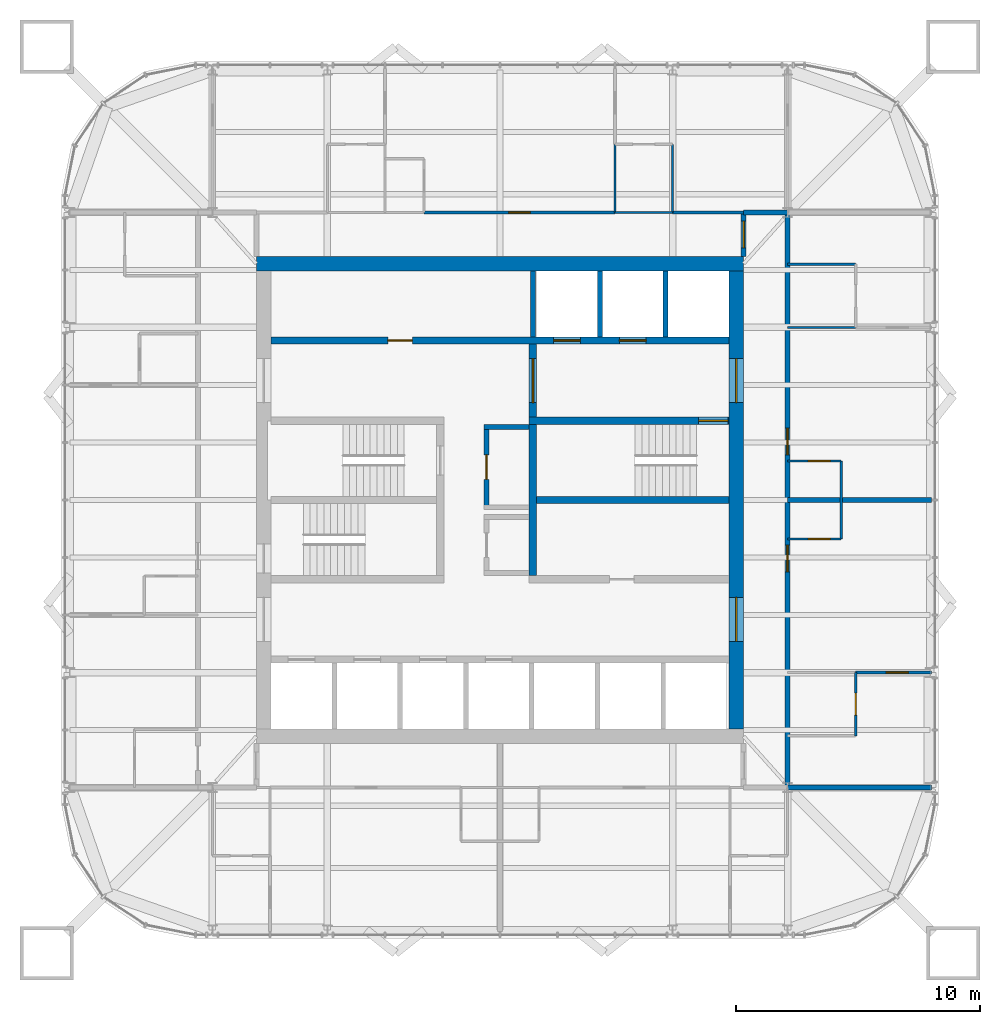
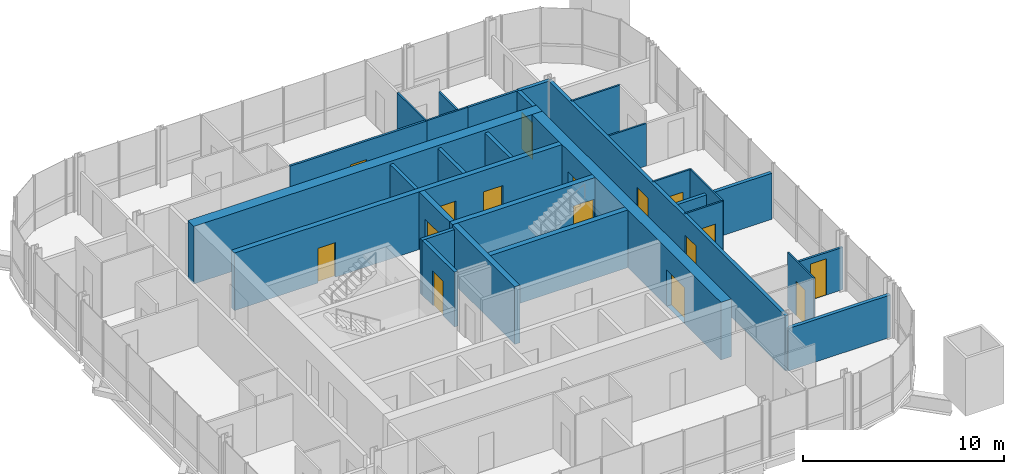
# One storey, part 15 of 17: 28 walls, 16 doors, 16 openings.
"""IFC4 building model written with IfcOpenShell, lengths in metres."""

from ifc_helpers import new_model, si_unit, direction, frame, frame_2d, origin, place, context, subcontext, project, spatial, rectangle, extrude, material, layer, layer_set, type_object, element, fill, save


model = new_model("IFC4")

# Units and contexts
model_context = context("Model", 3, precision=1e-05, world=origin(), true_north=direction((0.0, 1.0)))
body_context = subcontext(model_context, "Body", "Model", "MODEL_VIEW")
ifc_project = project(units=[si_unit("LENGTHUNIT", "METRE"), si_unit("AREAUNIT", "SQUARE_METRE"), si_unit("VOLUMEUNIT", "CUBIC_METRE"), si_unit("PLANEANGLEUNIT", "RADIAN"), si_unit("MASSUNIT", "GRAM", prefix="KILO")], contexts=[model_context])

# Site, building, storey
site_placement = place(None, origin())
site = spatial("IfcSite", under=ifc_project, at=site_placement, CompositionType="ELEMENT")
building_placement = place(site_placement, origin())
building = spatial("IfcBuilding", under=site, at=building_placement, Name="Turquesa Mirador Hotel Tower", CompositionType="ELEMENT")
storey_placement = place(building_placement, frame((0.0, 0.0, 244.199951171875)))
storey = spatial("IfcBuildingStorey", under=building, at=storey_placement, Name="L66", CompositionType="ELEMENT", Elevation=244.199951171875)

# Wall, opening, door
ifc_material_1 = material(Name="Gypsum board on steel studs", Category="steel")
ifc_layer_1 = layer(ifc_material_1, 0.10009765625)
ifc_layer_set_1 = layer_set([ifc_layer_1], Name="BATHROOM WALL 100")
wall_type_1 = type_object("IfcWallType", Name="BATHROOM WALL 100", PredefinedType="PARTITIONING", material=ifc_layer_set_1)
wall_1_placement = place(storey_placement, frame((66.800048828125, 43.39990234375, 0.0), z_axis=(0.0, 0.0, 1.0), x_axis=(1.0, 0.0, 0.0)))
wall_1 = element("IfcWall", 1, at=wall_1_placement, inside=storey, type_object=wall_type_1, Name="Partition L66 001", PredefinedType="PARTITIONING", context=body_context, shape_type="SweptSolid", body=[
    extrude(rectangle(XDim=2.199951171875, YDim=0.10009765625, at=frame_2d((1.10009765625, 0.0))), origin(), (0.0, 0.0, 1.0), 3.330078125),
])
opening_1_placement = place(wall_1_placement, frame((0.85009765625, 0.0, 0.0)))
opening_1 = element("IfcOpeningElement", 2, at=opening_1_placement, cuts=wall_1, Name="Opening D06", PredefinedType="OPENING", context=body_context, shape_type="SweptSolid", body=[
    extrude(rectangle(XDim=0.89990234375, YDim=2.10009765625, at=frame_2d((0.449951171875, 1.050048828125))), frame((0.0, 0.06005859375, 0.0), z_axis=(0.0, -1.0, 0.0), x_axis=(1.0, 0.0, 0.0)), (0.0, 0.0, 1.0), 0.1201171875),
])
ifc_material_2 = material(Name="Laminate door", Category="wood")
door_type_1 = type_object("IfcDoorType", Name="DOOR 900X2100 WC", OperationType="SINGLE_SWING_LEFT", PredefinedType="DOOR", material=ifc_material_2)
door_1_placement = place(opening_1_placement, origin())
door_1 = element("IfcDoor", 3, at=door_1_placement, inside=storey, type_object=door_type_1, Name="Door 6604W", OperationType="SINGLE_SWING_LEFT", OverallHeight=2.10009765625, OverallWidth=0.89990234375, PredefinedType="DOOR", context=body_context, shape_type="SweptSolid", body=[
    extrude(rectangle(XDim=0.89990234375, YDim=2.10009765625, at=frame_2d((0.449951171875, 1.050048828125))), frame((0.0, 0.02490234375, 0.0), z_axis=(0.0, -1.0, 0.0), x_axis=(1.0, 0.0, 0.0)), (0.0, 0.0, 1.0), 0.050048828125),
])
fill(opening_1, door_1)

wall_2_placement = place(storey_placement, frame((66.800048828125, 46.60009765625, 0.0), z_axis=(0.0, 0.0, 1.0), x_axis=(1.0, 0.0, 0.0)))
wall_2 = element("IfcWall", 4, at=wall_2_placement, inside=storey, type_object=wall_type_1, Name="Partition L66 022", PredefinedType="PARTITIONING", context=body_context, shape_type="SweptSolid", body=[
    extrude(rectangle(XDim=2.199951171875, YDim=0.10009765625, at=frame_2d((1.10009765625, 0.0))), origin(), (0.0, 0.0, 1.0), 3.330078125),
])
opening_2_placement = place(wall_2_placement, frame((0.85009765625, 0.0, 0.0)))
opening_2 = element("IfcOpeningElement", 5, at=opening_2_placement, cuts=wall_2, Name="Opening D06", PredefinedType="OPENING", context=body_context, shape_type="SweptSolid", body=[
    extrude(rectangle(XDim=0.89990234375, YDim=2.10009765625, at=frame_2d((0.449951171875, 1.050048828125))), frame((0.0, 0.06005859375, 0.0), z_axis=(0.0, -1.0, 0.0), x_axis=(1.0, 0.0, 0.0)), (0.0, 0.0, 1.0), 0.1201171875),
])
door_2_placement = place(opening_2_placement, origin())
door_2 = element("IfcDoor", 6, at=door_2_placement, inside=storey, type_object=door_type_1, Name="Door 6605W", OperationType="SINGLE_SWING_LEFT", OverallHeight=2.10009765625, OverallWidth=0.89990234375, PredefinedType="DOOR", context=body_context, shape_type="SweptSolid", body=[
    extrude(rectangle(XDim=0.89990234375, YDim=2.10009765625, at=frame_2d((0.449951171875, 1.050048828125))), frame((0.0, 0.02490234375, 0.0), z_axis=(0.0, -1.0, 0.0), x_axis=(1.0, 0.0, 0.0)), (0.0, 0.0, 1.0), 0.050048828125),
])
fill(opening_2, door_2)

# Walls
wall_3_placement = place(storey_placement, frame((59.719970703125, 56.800048828125, 0.0), z_axis=(0.0, 0.0, 1.0), x_axis=(1.0, 0.0, 0.0)))
element("IfcWall", 7, at=wall_3_placement, inside=storey, type_object=wall_type_1, Name="Partition L66 024", PredefinedType="PARTITIONING", context=body_context, shape_type="SweptSolid", body=[
    extrude(rectangle(XDim=2.360107421875, YDim=0.10009765625, at=frame_2d((1.18017578125, 0.0))), origin(), (0.0, 0.0, 1.0), 3.330078125),
])
wall_4_placement = place(storey_placement, frame((66.800048828125, 52.080078125, 0.0), z_axis=(0.0, 0.0, 1.0), x_axis=(1.0, 0.0, 0.0)))
element("IfcWall", 8, at=wall_4_placement, inside=storey, type_object=wall_type_1, Name="Partition L66 037", PredefinedType="PARTITIONING", context=body_context, shape_type="SweptSolid", body=[
    extrude(rectangle(XDim=2.800048828125, YDim=0.10009765625, at=frame_2d((1.39990234375, 0.0))), origin(), (0.0, 0.0, 1.0), 2.5732421875),
])
wall_5_placement = place(storey_placement, frame((66.800048828125, 54.679931640625, 0.0), z_axis=(0.0, 0.0, 1.0), x_axis=(1.0, 0.0, 0.0)))
element("IfcWall", 9, at=wall_5_placement, inside=storey, type_object=wall_type_1, Name="Partition L66 040", PredefinedType="PARTITIONING", context=body_context, shape_type="SweptSolid", body=[
    extrude(rectangle(XDim=2.800048828125, YDim=0.10009765625, at=frame_2d((1.39990234375, 0.0))), origin(), (0.0, 0.0, 1.0), 3.330078125),
])
wall_6_placement = place(storey_placement, frame((69.0, 43.39990234375, 0.0), z_axis=(0.0, 0.0, 1.0), x_axis=(0.0, 1.0, 0.0)))
element("IfcWall", 10, at=wall_6_placement, inside=storey, type_object=wall_type_1, Name="Partition L66 064", PredefinedType="PARTITIONING", context=body_context, shape_type="SweptSolid", body=[
    extrude(rectangle(XDim=3.2001953125, YDim=0.10009765625, at=frame_2d((1.60009765625, 0.0))), origin(), (0.0, 0.0, 1.0), 3.330078125),
])

# Wall, opening, door
wall_7_placement = place(storey_placement, frame((69.60009765625, 35.320068359375, 0.0), z_axis=(0.0, 0.0, 1.0), x_axis=(0.0, 1.0, 0.0)))
wall_7 = element("IfcWall", 11, at=wall_7_placement, inside=storey, type_object=wall_type_1, Name="Partition L66 065", PredefinedType="PARTITIONING", context=body_context, shape_type="SweptSolid", body=[
    extrude(rectangle(XDim=2.599853515625, YDim=0.10009765625, at=frame_2d((1.2998046875, 0.0))), origin(), (0.0, 0.0, 1.0), 3.330078125),
])
opening_3_placement = place(wall_7_placement, frame((0.85009765625, 0.0, 0.0)))
opening_3 = element("IfcOpeningElement", 12, at=opening_3_placement, cuts=wall_7, Name="Opening D02", PredefinedType="OPENING", context=body_context, shape_type="SweptSolid", body=[
    extrude(rectangle(XDim=0.89990234375, YDim=2.10009765625, at=frame_2d((0.449951171875, 1.050048828125))), frame((0.0, 0.06005859375, 0.0), z_axis=(0.0, -1.0, 0.0), x_axis=(1.0, 0.0, 0.0)), (0.0, 0.0, 1.0), 0.1201171875),
])
ifc_material_3 = material(Name="Timber veneered door", Category="wood")
door_type_2 = type_object("IfcDoorType", Name="DOOR 900X2100 EN-SUITE", OperationType="SINGLE_SWING_RIGHT", PredefinedType="DOOR", material=ifc_material_3)
door_3_placement = place(opening_3_placement, origin())
door_3 = element("IfcDoor", 13, at=door_3_placement, inside=storey, type_object=door_type_2, Name="Door 6604B", OperationType="SINGLE_SWING_RIGHT", OverallHeight=2.10009765625, OverallWidth=0.89990234375, PredefinedType="DOOR", context=body_context, shape_type="SweptSolid", body=[
    extrude(rectangle(XDim=0.89990234375, YDim=2.10009765625, at=frame_2d((0.449951171875, 1.050048828125))), frame((0.0, 0.02490234375, 0.0), z_axis=(0.0, -1.0, 0.0), x_axis=(1.0, 0.0, 0.0)), (0.0, 0.0, 1.0), 0.050048828125),
])
fill(opening_3, door_3)

# Walls
wall_8_placement = place(storey_placement, frame((59.719970703125, 56.800048828125, 0.0), z_axis=(0.0, 0.0, 1.0), x_axis=(0.0, 1.0, 0.0)))
element("IfcWall", 14, at=wall_8_placement, inside=storey, type_object=wall_type_1, Name="Partition L66 067", PredefinedType="PARTITIONING", context=body_context, shape_type="SweptSolid", body=[
    extrude(rectangle(XDim=2.800048828125, YDim=0.10009765625, at=frame_2d((1.39990234375, 0.0))), origin(), (0.0, 0.0, 1.0), 3.330078125),
])
wall_9_placement = place(storey_placement, frame((62.080078125, 56.800048828125, 0.0), z_axis=(0.0, 0.0, 1.0), x_axis=(0.0, 1.0, 0.0)))
element("IfcWall", 15, at=wall_9_placement, inside=storey, type_object=wall_type_1, Name="Partition L66 069", PredefinedType="PARTITIONING", context=body_context, shape_type="SweptSolid", body=[
    extrude(rectangle(XDim=2.800048828125, YDim=0.10009765625, at=frame_2d((1.39990234375, 0.0))), origin(), (0.0, 0.0, 1.0), 2.5732421875),
])

# Wall, openings, doors
ifc_material_4 = material(Name="Concrete C50/60", Category="concrete")
ifc_layer_2 = layer(ifc_material_4, 0.300048828125)
ifc_layer_set_2 = layer_set([ifc_layer_2], Name="CORE INNER WALL 300")
wall_type_2 = type_object("IfcWallType", Name="CORE INNER WALL 300", PredefinedType="SHEAR", material=ifc_layer_set_2)
wall_10_placement = place(storey_placement, frame((45.60009765625, 51.550048828125, 0.0), z_axis=(0.0, 0.0, 1.0), x_axis=(1.0, 0.0, 0.0)))
wall_10 = element("IfcWall", 16, at=wall_10_placement, inside=storey, type_object=wall_type_2, Name="Core wall NL", PredefinedType="SHEAR", context=body_context, shape_type="SweptSolid", body=[
    extrude(rectangle(XDim=18.7998046875, YDim=0.300048828125, at=frame_2d((9.39990234375, 0.0))), origin(), (0.0, 0.0, 1.0), 3.5),
])
opening_4_placement = place(wall_10_placement, frame((4.800048828125, 0.0, 0.0)))
opening_4 = element("IfcOpeningElement", 17, at=opening_4_placement, cuts=wall_10, Name="Opening D05", PredefinedType="OPENING", context=body_context, shape_type="SweptSolid", body=[
    extrude(rectangle(XDim=1.0, YDim=2.10009765625, at=frame_2d((0.5, 1.050048828125))), frame((0.0, 0.159912109375, 0.0), z_axis=(0.0, -1.0, 0.0), x_axis=(1.0, 0.0, 0.0)), (0.0, 0.0, 1.0), 0.320068359375),
])
opening_5_placement = place(wall_10_placement, frame((11.60009765625, 0.0, 0.0)))
opening_5 = element("IfcOpeningElement", 18, at=opening_5_placement, cuts=wall_10, Name="Opening LD", PredefinedType="OPENING", context=body_context, shape_type="SweptSolid", body=[
    extrude(rectangle(XDim=1.10009765625, YDim=2.199951171875, at=frame_2d((0.550048828125, 1.10009765625))), frame((0.0, 0.159912109375, 0.0), z_axis=(0.0, -1.0, 0.0), x_axis=(1.0, 0.0, 0.0)), (0.0, 0.0, 1.0), 0.320068359375),
])
opening_6_placement = place(wall_10_placement, frame((14.300048828125, 0.0, 0.0)))
opening_6 = element("IfcOpeningElement", 19, at=opening_6_placement, cuts=wall_10, Name="Opening LD", PredefinedType="OPENING", context=body_context, shape_type="SweptSolid", body=[
    extrude(rectangle(XDim=1.10009765625, YDim=2.199951171875, at=frame_2d((0.550048828125, 1.10009765625))), frame((0.0, 0.159912109375, 0.0), z_axis=(0.0, -1.0, 0.0), x_axis=(1.0, 0.0, 0.0)), (0.0, 0.0, 1.0), 0.320068359375),
])
ifc_material_5 = material(Name="Steel fire door", Category="steel")
door_type_3 = type_object("IfcDoorType", Name="DOOR 1000X2100 SERVICE", OperationType="SINGLE_SWING_LEFT", PredefinedType="DOOR", material=ifc_material_5)
door_4_placement = place(opening_4_placement, origin())
door_4 = element("IfcDoor", 20, at=door_4_placement, inside=storey, type_object=door_type_3, Name="Linen store door", OperationType="SINGLE_SWING_LEFT", OverallHeight=2.10009765625, OverallWidth=1.0, PredefinedType="DOOR", context=body_context, shape_type="SweptSolid", body=[
    extrude(rectangle(XDim=1.0, YDim=2.10009765625, at=frame_2d((0.5, 1.050048828125))), frame((0.0, 0.02490234375, 0.0), z_axis=(0.0, -1.0, 0.0), x_axis=(1.0, 0.0, 0.0)), (0.0, 0.0, 1.0), 0.050048828125),
])
fill(opening_4, door_4)
ifc_material_6 = material(Name="Stainless steel lift landing door", Category="steel")
door_type_4 = type_object("IfcDoorType", Name="LIFT LANDING DOOR 1100X2200", OperationType="SLIDING_TO_LEFT", PredefinedType="DOOR", material=ifc_material_6)
door_5_placement = place(opening_5_placement, origin())
door_5 = element("IfcDoor", 21, at=door_5_placement, inside=storey, type_object=door_type_4, Name="Lift S1 landing door", OperationType="SLIDING_TO_LEFT", OverallHeight=2.199951171875, OverallWidth=1.10009765625, PredefinedType="DOOR", context=body_context, shape_type="SweptSolid", body=[
    extrude(rectangle(XDim=1.10009765625, YDim=2.199951171875, at=frame_2d((0.550048828125, 1.10009765625))), frame((0.0, 0.02490234375, 0.0), z_axis=(0.0, -1.0, 0.0), x_axis=(1.0, 0.0, 0.0)), (0.0, 0.0, 1.0), 0.050048828125),
])
fill(opening_5, door_5)
door_6_placement = place(opening_6_placement, origin())
door_6 = element("IfcDoor", 22, at=door_6_placement, inside=storey, type_object=door_type_4, Name="Lift S2 landing door", OperationType="SLIDING_TO_LEFT", OverallHeight=2.199951171875, OverallWidth=1.10009765625, PredefinedType="DOOR", context=body_context, shape_type="SweptSolid", body=[
    extrude(rectangle(XDim=1.10009765625, YDim=2.199951171875, at=frame_2d((0.550048828125, 1.10009765625))), frame((0.0, 0.02490234375, 0.0), z_axis=(0.0, -1.0, 0.0), x_axis=(1.0, 0.0, 0.0)), (0.0, 0.0, 1.0), 0.050048828125),
])
fill(opening_6, door_6)

# Wall, opening, door
wall_11_placement = place(storey_placement, frame((56.199951171875, 48.25, 0.0), z_axis=(0.0, 0.0, 1.0), x_axis=(1.0, 0.0, 0.0)))
wall_11 = element("IfcWall", 23, at=wall_11_placement, inside=storey, type_object=wall_type_2, Name="Core wall MN-E", PredefinedType="SHEAR", context=body_context, shape_type="SweptSolid", body=[
    extrude(rectangle(XDim=8.199951171875, YDim=0.300048828125, at=frame_2d((4.10009765625, 0.0))), origin(), (0.0, 0.0, 1.0), 3.5),
])
opening_7_placement = place(wall_11_placement, frame((6.949951171875, 0.0, 0.0)))
opening_7 = element("IfcOpeningElement", 24, at=opening_7_placement, cuts=wall_11, Name="Opening D03", PredefinedType="OPENING", context=body_context, shape_type="SweptSolid", body=[
    extrude(rectangle(XDim=1.199951171875, YDim=2.199951171875, at=frame_2d((0.60009765625, 1.10009765625))), frame((0.0, 0.159912109375, 0.0), z_axis=(0.0, -1.0, 0.0), x_axis=(1.0, 0.0, 0.0)), (0.0, 0.0, 1.0), 0.320068359375),
])
ifc_material_7 = material(Name="Steel fire door", Category="steel")
door_type_5 = type_object("IfcDoorType", Name="DOOR 1200X2200 STAIR", OperationType="SINGLE_SWING_LEFT", PredefinedType="DOOR", material=ifc_material_7)
door_7_placement = place(opening_7_placement, origin())
door_7 = element("IfcDoor", 25, at=door_7_placement, inside=storey, type_object=door_type_5, Name="Stair ST3 door", OperationType="SINGLE_SWING_LEFT", OverallHeight=2.199951171875, OverallWidth=1.199951171875, PredefinedType="DOOR", context=body_context, shape_type="SweptSolid", body=[
    extrude(rectangle(XDim=1.199951171875, YDim=2.199951171875, at=frame_2d((0.60009765625, 1.10009765625))), frame((0.0, 0.02490234375, 0.0), z_axis=(0.0, -1.0, 0.0), x_axis=(1.0, 0.0, 0.0)), (0.0, 0.0, 1.0), 0.050048828125),
])
fill(opening_7, door_7)

wall_12_placement = place(storey_placement, frame((56.35009765625, 41.89990234375, 0.0), z_axis=(0.0, 0.0, 1.0), x_axis=(0.0, 1.0, 0.0)))
wall_12 = element("IfcWall", 26, at=wall_12_placement, inside=storey, type_object=wall_type_2, Name="Core wall PE", PredefinedType="SHEAR", context=body_context, shape_type="SweptSolid", body=[
    extrude(rectangle(XDim=9.5, YDim=0.300048828125, at=frame_2d((4.75, 0.0))), origin(), (0.0, 0.0, 1.0), 3.5),
])
opening_8_placement = place(wall_12_placement, frame((7.10009765625, 0.0, 0.0)))
opening_8 = element("IfcOpeningElement", 27, at=opening_8_placement, cuts=wall_12, Name="Opening D04", PredefinedType="OPENING", context=body_context, shape_type="SweptSolid", body=[
    extrude(rectangle(XDim=1.800048828125, YDim=2.199951171875, at=frame_2d((0.89990234375, 1.10009765625))), frame((0.0, 0.159912109375, 0.0), z_axis=(0.0, -1.0, 0.0), x_axis=(1.0, 0.0, 0.0)), (0.0, 0.0, 1.0), 0.320068359375),
])
ifc_material_8 = material(Name="Steel fire door pair", Category="steel")
door_type_6 = type_object("IfcDoorType", Name="DOOR 1800X2200 PAIR", OperationType="DOUBLE_DOOR_SINGLE_SWING", PredefinedType="DOOR", material=ifc_material_8)
door_8_placement = place(opening_8_placement, origin())
door_8 = element("IfcDoor", 28, at=door_8_placement, inside=storey, type_object=door_type_6, Name="Firefighting lobby inner door", OperationType="DOUBLE_DOOR_SINGLE_SWING", OverallHeight=2.199951171875, OverallWidth=1.800048828125, PredefinedType="DOOR", context=body_context, shape_type="SweptSolid", body=[
    extrude(rectangle(XDim=1.800048828125, YDim=2.199951171875, at=frame_2d((0.89990234375, 1.10009765625))), frame((0.0, 0.02490234375, 0.0), z_axis=(0.0, -1.0, 0.0), x_axis=(1.0, 0.0, 0.0)), (0.0, 0.0, 1.0), 0.050048828125),
])
fill(opening_8, door_8)

# Walls
wall_13_placement = place(storey_placement, frame((56.5, 45.0, 0.0), z_axis=(0.0, 0.0, 1.0), x_axis=(1.0, 0.0, 0.0)))
element("IfcWall", 29, at=wall_13_placement, inside=storey, type_object=wall_type_2, Name="Core wall M0-E", PredefinedType="SHEAR", context=body_context, shape_type="SweptSolid", body=[
    extrude(rectangle(XDim=7.89990234375, YDim=0.300048828125, at=frame_2d((3.949951171875, 0.0))), origin(), (0.0, 0.0, 1.0), 3.5),
])
ifc_material_9 = material(Name="Concrete C50/60", Category="concrete")
ifc_layer_3 = layer(ifc_material_9, 0.60009765625)
ifc_layer_set_3 = layer_set([ifc_layer_3], Name="CORE WALL 600")
wall_type_3 = type_object("IfcWallType", Name="CORE WALL 600", PredefinedType="SHEAR", material=ifc_layer_set_3)
wall_14_placement = place(storey_placement, frame((45.0, 54.699951171875, 0.0), z_axis=(0.0, 0.0, 1.0), x_axis=(1.0, 0.0, 0.0)))
element("IfcWall", 30, at=wall_14_placement, inside=storey, type_object=wall_type_3, Name="Core wall N", PredefinedType="SHEAR", context=body_context, shape_type="SweptSolid", body=[
    extrude(rectangle(XDim=20.0, YDim=0.60009765625, at=frame_2d((10.0, 0.0))), origin(), (0.0, 0.0, 1.0), 3.5),
])

# Wall, openings, doors
wall_15_placement = place(storey_placement, frame((64.699951171875, 35.60009765625, 0.0), z_axis=(0.0, 0.0, 1.0), x_axis=(0.0, 1.0, 0.0)))
wall_15 = element("IfcWall", 31, at=wall_15_placement, inside=storey, type_object=wall_type_3, Name="Core wall E", PredefinedType="SHEAR", context=body_context, shape_type="SweptSolid", body=[
    extrude(rectangle(XDim=18.7998046875, YDim=0.60009765625, at=frame_2d((9.39990234375, 0.0))), origin(), (0.0, 0.0, 1.0), 3.5),
])
opening_9_placement = place(wall_15_placement, frame((13.39990234375, 0.0, 0.0)))
opening_9 = element("IfcOpeningElement", 32, at=opening_9_placement, cuts=wall_15, Name="Opening D04", PredefinedType="OPENING", context=body_context, shape_type="SweptSolid", body=[
    extrude(rectangle(XDim=1.800048828125, YDim=2.199951171875, at=frame_2d((0.89990234375, 1.10009765625))), frame((0.0, 0.31005859375, 0.0), z_axis=(0.0, -1.0, 0.0), x_axis=(1.0, 0.0, 0.0)), (0.0, 0.0, 1.0), 0.6201171875),
])
opening_10_placement = place(wall_15_placement, frame((3.60009765625, 0.0, 0.0)))
opening_10 = element("IfcOpeningElement", 33, at=opening_10_placement, cuts=wall_15, Name="Opening D04", PredefinedType="OPENING", context=body_context, shape_type="SweptSolid", body=[
    extrude(rectangle(XDim=1.800048828125, YDim=2.199951171875, at=frame_2d((0.89990234375, 1.10009765625))), frame((0.0, 0.31005859375, 0.0), z_axis=(0.0, -1.0, 0.0), x_axis=(1.0, 0.0, 0.0)), (0.0, 0.0, 1.0), 0.6201171875),
])
door_9_placement = place(opening_9_placement, origin())
door_9 = element("IfcDoor", 34, at=door_9_placement, inside=storey, type_object=door_type_6, Name="Firefighting lobby door", OperationType="DOUBLE_DOOR_SINGLE_SWING", OverallHeight=2.199951171875, OverallWidth=1.800048828125, PredefinedType="DOOR", context=body_context, shape_type="SweptSolid", body=[
    extrude(rectangle(XDim=1.800048828125, YDim=2.199951171875, at=frame_2d((0.89990234375, 1.10009765625))), frame((0.0, 0.02490234375, 0.0), z_axis=(0.0, -1.0, 0.0), x_axis=(1.0, 0.0, 0.0)), (0.0, 0.0, 1.0), 0.050048828125),
])
fill(opening_9, door_9)
door_10_placement = place(opening_10_placement, origin())
door_10 = element("IfcDoor", 35, at=door_10_placement, inside=storey, type_object=door_type_6, Name="South lift lobby door", OperationType="DOUBLE_DOOR_SINGLE_SWING", OverallHeight=2.199951171875, OverallWidth=1.800048828125, PredefinedType="DOOR", context=body_context, shape_type="SweptSolid", body=[
    extrude(rectangle(XDim=1.800048828125, YDim=2.199951171875, at=frame_2d((0.89990234375, 1.10009765625))), frame((0.0, 0.02490234375, 0.0), z_axis=(0.0, -1.0, 0.0), x_axis=(1.0, 0.0, 0.0)), (0.0, 0.0, 1.0), 0.050048828125),
])
fill(opening_10, door_10)

# Wall
ifc_material_10 = material(Name="Fire-rated gypsum board on steel studs", Category="steel")
ifc_layer_4 = layer(ifc_material_10, 0.199951171875)
ifc_layer_set_4 = layer_set([ifc_layer_4], Name="CORRIDOR WALL 200")
wall_type_4 = type_object("IfcWallType", Name="CORRIDOR WALL 200", PredefinedType="PARTITIONING", material=ifc_layer_set_4)
wall_16_placement = place(storey_placement, frame((65.0, 56.800048828125, 0.0), z_axis=(0.0, 0.0, 1.0), x_axis=(1.0, 0.0, 0.0)))
element("IfcWall", 36, at=wall_16_placement, inside=storey, type_object=wall_type_4, Name="Partition L66 026", PredefinedType="PARTITIONING", context=body_context, shape_type="SweptSolid", body=[
    extrude(rectangle(XDim=1.800048828125, YDim=0.199951171875, at=frame_2d((0.89990234375, 0.0))), origin(), (0.0, 0.0, 1.0), 3.330078125),
])

# Wall, opening, door
wall_17_placement = place(storey_placement, frame((65.0, 55.0, 0.0), z_axis=(0.0, 0.0, 1.0), x_axis=(0.0, 1.0, 0.0)))
wall_17 = element("IfcWall", 37, at=wall_17_placement, inside=storey, type_object=wall_type_4, Name="Partition L66 060", PredefinedType="PARTITIONING", context=body_context, shape_type="SweptSolid", body=[
    extrude(rectangle(XDim=1.800048828125, YDim=0.199951171875, at=frame_2d((0.89990234375, 0.0))), origin(), (0.0, 0.0, 1.0), 3.330078125),
])
opening_11_placement = place(wall_17_placement, frame((0.35009765625, 0.0, 0.0)))
opening_11 = element("IfcOpeningElement", 38, at=opening_11_placement, cuts=wall_17, Name="Opening D15", PredefinedType="OPENING", context=body_context, shape_type="SweptSolid", body=[
    extrude(rectangle(XDim=1.10009765625, YDim=2.199951171875, at=frame_2d((0.550048828125, 1.10009765625))), frame((0.0, 0.10986328125, 0.0), z_axis=(0.0, -1.0, 0.0), x_axis=(1.0, 0.0, 0.0)), (0.0, 0.0, 1.0), 0.219970703125),
])
ifc_material_11 = material(Name="Timber veneered fire door", Category="wood")
door_type_7 = type_object("IfcDoorType", Name="DOOR 1100X2200 SUITE ENTRY", OperationType="SINGLE_SWING_LEFT", PredefinedType="DOOR", material=ifc_material_11)
door_11_placement = place(opening_11_placement, origin())
door_11 = element("IfcDoor", 39, at=door_11_placement, inside=storey, type_object=door_type_7, Name="Door 6601G", OperationType="SINGLE_SWING_LEFT", OverallHeight=2.199951171875, OverallWidth=1.10009765625, PredefinedType="DOOR", context=body_context, shape_type="SweptSolid", body=[
    extrude(rectangle(XDim=1.10009765625, YDim=2.199951171875, at=frame_2d((0.550048828125, 1.10009765625))), frame((0.0, 0.02490234375, 0.0), z_axis=(0.0, -1.0, 0.0), x_axis=(1.0, 0.0, 0.0)), (0.0, 0.0, 1.0), 0.050048828125),
])
fill(opening_11, door_11)

# Wall, openings, doors
wall_18_placement = place(storey_placement, frame((66.800048828125, 33.199951171875, 0.0), z_axis=(0.0, 0.0, 1.0), x_axis=(0.0, 1.0, 0.0)))
wall_18 = element("IfcWall", 40, at=wall_18_placement, inside=storey, type_object=wall_type_4, Name="Partition L66 062", PredefinedType="PARTITIONING", context=body_context, shape_type="SweptSolid", body=[
    extrude(rectangle(XDim=23.60009765625, YDim=0.199951171875, at=frame_2d((11.800048828125, 0.0))), origin(), (0.0, 0.0, 1.0), 3.330078125),
])
opening_12_placement = place(wall_18_placement, frame((8.85009765625, 0.0, 0.0)))
opening_12 = element("IfcOpeningElement", 41, at=opening_12_placement, cuts=wall_18, Name="Opening D15", PredefinedType="OPENING", context=body_context, shape_type="SweptSolid", body=[
    extrude(rectangle(XDim=1.10009765625, YDim=2.199951171875, at=frame_2d((0.550048828125, 1.10009765625))), frame((0.0, 0.10986328125, 0.0), z_axis=(0.0, -1.0, 0.0), x_axis=(1.0, 0.0, 0.0)), (0.0, 0.0, 1.0), 0.219970703125),
])
opening_13_placement = place(wall_18_placement, frame((13.64990234375, 0.0, 0.0)))
opening_13 = element("IfcOpeningElement", 42, at=opening_13_placement, cuts=wall_18, Name="Opening D15", PredefinedType="OPENING", context=body_context, shape_type="SweptSolid", body=[
    extrude(rectangle(XDim=1.10009765625, YDim=2.199951171875, at=frame_2d((0.550048828125, 1.10009765625))), frame((0.0, 0.10986328125, 0.0), z_axis=(0.0, -1.0, 0.0), x_axis=(1.0, 0.0, 0.0)), (0.0, 0.0, 1.0), 0.219970703125),
])
door_12_placement = place(opening_12_placement, origin())
door_12 = element("IfcDoor", 43, at=door_12_placement, inside=storey, type_object=door_type_7, Name="Door 6604", OperationType="SINGLE_SWING_LEFT", OverallHeight=2.199951171875, OverallWidth=1.10009765625, PredefinedType="DOOR", context=body_context, shape_type="SweptSolid", body=[
    extrude(rectangle(XDim=1.10009765625, YDim=2.199951171875, at=frame_2d((0.550048828125, 1.10009765625))), frame((0.0, 0.02490234375, 0.0), z_axis=(0.0, -1.0, 0.0), x_axis=(1.0, 0.0, 0.0)), (0.0, 0.0, 1.0), 0.050048828125),
])
fill(opening_12, door_12)
door_13_placement = place(opening_13_placement, origin())
door_13 = element("IfcDoor", 44, at=door_13_placement, inside=storey, type_object=door_type_7, Name="Door 6605", OperationType="SINGLE_SWING_LEFT", OverallHeight=2.199951171875, OverallWidth=1.10009765625, PredefinedType="DOOR", context=body_context, shape_type="SweptSolid", body=[
    extrude(rectangle(XDim=1.10009765625, YDim=2.199951171875, at=frame_2d((0.550048828125, 1.10009765625))), frame((0.0, 0.02490234375, 0.0), z_axis=(0.0, -1.0, 0.0), x_axis=(1.0, 0.0, 0.0)), (0.0, 0.0, 1.0), 0.050048828125),
])
fill(opening_13, door_13)

# Wall, opening, door
ifc_material_12 = material(Name="Fire-rated gypsum board on steel studs", Category="steel")
ifc_layer_5 = layer(ifc_material_12, 0.199951171875)
ifc_layer_set_5 = layer_set([ifc_layer_5], Name="FIRE PARTITION 200")
wall_type_5 = type_object("IfcWallType", Name="FIRE PARTITION 200", PredefinedType="PARTITIONING", material=ifc_layer_set_5)
wall_19_placement = place(storey_placement, frame((54.449951171875, 44.699951171875, 0.0), z_axis=(0.0, 0.0, 1.0), x_axis=(0.0, 1.0, 0.0)))
wall_19 = element("IfcWall", 45, at=wall_19_placement, inside=storey, type_object=wall_type_5, Name="Partition L66 VR W", PredefinedType="PARTITIONING", context=body_context, shape_type="SweptSolid", body=[
    extrude(rectangle(XDim=3.300048828125, YDim=0.199951171875, at=frame_2d((1.64990234375, 0.0))), origin(), (0.0, 0.0, 1.0), 3.330078125),
])
opening_14_placement = place(wall_19_placement, frame((1.14990234375, 0.0, 0.0)))
opening_14 = element("IfcOpeningElement", 46, at=opening_14_placement, cuts=wall_19, Name="Opening D05", PredefinedType="OPENING", context=body_context, shape_type="SweptSolid", body=[
    extrude(rectangle(XDim=1.0, YDim=2.10009765625, at=frame_2d((0.5, 1.050048828125))), frame((0.0, 0.10986328125, 0.0), z_axis=(0.0, -1.0, 0.0), x_axis=(1.0, 0.0, 0.0)), (0.0, 0.0, 1.0), 0.219970703125),
])
door_14_placement = place(opening_14_placement, origin())
door_14 = element("IfcDoor", 47, at=door_14_placement, inside=storey, type_object=door_type_3, Name="Valet room door", OperationType="SINGLE_SWING_LEFT", OverallHeight=2.10009765625, OverallWidth=1.0, PredefinedType="DOOR", context=body_context, shape_type="SweptSolid", body=[
    extrude(rectangle(XDim=1.0, YDim=2.10009765625, at=frame_2d((0.5, 1.050048828125))), frame((0.0, 0.02490234375, 0.0), z_axis=(0.0, -1.0, 0.0), x_axis=(1.0, 0.0, 0.0)), (0.0, 0.0, 1.0), 0.050048828125),
])
fill(opening_14, door_14)

# Walls
wall_20_placement = place(storey_placement, frame((54.35009765625, 48.0, 0.0), z_axis=(0.0, 0.0, 1.0), x_axis=(1.0, 0.0, 0.0)))
element("IfcWall", 48, at=wall_20_placement, inside=storey, type_object=wall_type_5, Name="Partition L66 VR N", PredefinedType="PARTITIONING", context=body_context, shape_type="SweptSolid", body=[
    extrude(rectangle(XDim=1.849853515625, YDim=0.199951171875, at=frame_2d((0.9248046875, 0.0))), origin(), (0.0, 0.0, 1.0), 3.330078125),
])
ifc_material_13 = material(Name="Fire-rated gypsum shaft wall on steel studs", Category="steel")
ifc_layer_6 = layer(ifc_material_13, 0.199951171875)
ifc_layer_set_6 = layer_set([ifc_layer_6], Name="LIFT SHAFT DIVIDER 200")
wall_type_6 = type_object("IfcWallType", Name="LIFT SHAFT DIVIDER 200", PredefinedType="PARTITIONING", material=ifc_layer_set_6)
for number, where, z_axis, x_axis, name in (
    (49, (59.10009765625, 51.699951171875, 0.0), (0.0, 0.0, 1.0), (0.0, 1.0, 0.0), "Lift shaft divider"),
    (50, (61.800048828125, 51.699951171875, 0.0), (0.0, 0.0, 1.0), (0.0, 1.0, 0.0), "Lift shaft divider"),
    (51, (56.35009765625, 51.699951171875, 0.0), (0.0, 0.0, 1.0), (0.0, 1.0, 0.0), "Lift shaft divider"),
):
    element("IfcWall", number, at=place(storey_placement, frame(where, z_axis=z_axis, x_axis=x_axis)), inside=storey, type_object=wall_type_6, Name=name, PredefinedType="PARTITIONING", context=body_context, shape_type="SweptSolid", body=[
        extrude(rectangle(XDim=2.699951171875, YDim=0.199951171875, at=frame_2d((1.35009765625, 0.0))), origin(), (0.0, 0.0, 1.0), 3.330078125),
    ])
ifc_material_14 = material(Name="Fire-rated gypsum board on steel studs", Category="steel")
ifc_layer_7 = layer(ifc_material_14, 0.199951171875)
ifc_layer_set_7 = layer_set([ifc_layer_7], Name="PARTY WALL 200")
wall_type_7 = type_object("IfcWallType", Name="PARTY WALL 200", PredefinedType="PARTITIONING", material=ifc_layer_set_7)
wall_21_placement = place(storey_placement, frame((66.800048828125, 33.199951171875, 0.0), z_axis=(0.0, 0.0, 1.0), x_axis=(1.0, 0.0, 0.0)))
element("IfcWall", 52, at=wall_21_placement, inside=storey, type_object=wall_type_7, Name="Partition L66 008", PredefinedType="PARTITIONING", context=body_context, shape_type="SweptSolid", body=[
    extrude(rectangle(XDim=5.89990234375, YDim=0.199951171875, at=frame_2d((2.949951171875, 0.0))), origin(), (0.0, 0.0, 1.0), 2.5732421875),
])
wall_22_placement = place(storey_placement, frame((66.800048828125, 45.0, 0.0), z_axis=(0.0, 0.0, 1.0), x_axis=(1.0, 0.0, 0.0)))
element("IfcWall", 53, at=wall_22_placement, inside=storey, type_object=wall_type_7, Name="Partition L66 021", PredefinedType="PARTITIONING", context=body_context, shape_type="SweptSolid", body=[
    extrude(rectangle(XDim=5.89990234375, YDim=0.199951171875, at=frame_2d((2.949951171875, 0.0))), origin(), (0.0, 0.0, 1.0), 2.796630859375),
])

# Wall, opening, door
ifc_material_15 = material(Name="Acoustic gypsum board on steel studs", Category="steel")
ifc_layer_8 = layer(ifc_material_15, 0.125)
ifc_layer_set_8 = layer_set([ifc_layer_8], Name="SUITE PARTITION 125")
wall_type_8 = type_object("IfcWallType", Name="SUITE PARTITION 125", PredefinedType="PARTITIONING", material=ifc_layer_set_8)
wall_23_placement = place(storey_placement, frame((69.60009765625, 37.919921875, 0.0), z_axis=(0.0, 0.0, 1.0), x_axis=(1.0, 0.0, 0.0)))
wall_23 = element("IfcWall", 54, at=wall_23_placement, inside=storey, type_object=wall_type_8, Name="Partition L66 018", PredefinedType="PARTITIONING", context=body_context, shape_type="SweptSolid", body=[
    extrude(rectangle(XDim=3.099853515625, YDim=0.125, at=frame_2d((1.5498046875, 0.0))), origin(), (0.0, 0.0, 1.0), 2.5732421875),
])
opening_15_placement = place(wall_23_placement, frame((1.25, 0.0, 0.0)))
opening_15 = element("IfcOpeningElement", 55, at=opening_15_placement, cuts=wall_23, Name="Opening D17", PredefinedType="OPENING", context=body_context, shape_type="SweptSolid", body=[
    extrude(rectangle(XDim=0.89990234375, YDim=2.199951171875, at=frame_2d((0.449951171875, 1.10009765625))), frame((0.0, 0.072509765625, 0.0), z_axis=(0.0, -1.0, 0.0), x_axis=(1.0, 0.0, 0.0)), (0.0, 0.0, 1.0), 0.14501953125),
])
ifc_material_16 = material(Name="Timber veneered door", Category="wood")
door_type_8 = type_object("IfcDoorType", Name="DOOR 900X2200 SUITE INTERNAL", OperationType="SINGLE_SWING_LEFT", PredefinedType="DOOR", material=ifc_material_16)
door_15_placement = place(opening_15_placement, origin())
door_15 = element("IfcDoor", 56, at=door_15_placement, inside=storey, type_object=door_type_8, Name="Door 6604R", OperationType="SINGLE_SWING_LEFT", OverallHeight=2.199951171875, OverallWidth=0.89990234375, PredefinedType="DOOR", context=body_context, shape_type="SweptSolid", body=[
    extrude(rectangle(XDim=0.89990234375, YDim=2.199951171875, at=frame_2d((0.449951171875, 1.10009765625))), frame((0.0, 0.02490234375, 0.0), z_axis=(0.0, -1.0, 0.0), x_axis=(1.0, 0.0, 0.0)), (0.0, 0.0, 1.0), 0.050048828125),
])
fill(opening_15, door_15)

wall_24_placement = place(storey_placement, frame((51.8798828125, 56.800048828125, 0.0), z_axis=(0.0, 0.0, 1.0), x_axis=(1.0, 0.0, 0.0)))
wall_24 = element("IfcWall", 57, at=wall_24_placement, inside=storey, type_object=wall_type_8, Name="Partition L66 030", PredefinedType="PARTITIONING", context=body_context, shape_type="SweptSolid", body=[
    extrude(rectangle(XDim=7.840087890625, YDim=0.125, at=frame_2d((3.919921875, 0.0))), origin(), (0.0, 0.0, 1.0), 3.330078125),
])
opening_16_placement = place(wall_24_placement, frame((3.469970703125, 0.0, 0.0)))
opening_16 = element("IfcOpeningElement", 58, at=opening_16_placement, cuts=wall_24, Name="Opening D17", PredefinedType="OPENING", context=body_context, shape_type="SweptSolid", body=[
    extrude(rectangle(XDim=0.89990234375, YDim=2.199951171875, at=frame_2d((0.449951171875, 1.10009765625))), frame((0.0, 0.072509765625, 0.0), z_axis=(0.0, -1.0, 0.0), x_axis=(1.0, 0.0, 0.0)), (0.0, 0.0, 1.0), 0.14501953125),
])
door_16_placement = place(opening_16_placement, origin())
door_16 = element("IfcDoor", 59, at=door_16_placement, inside=storey, type_object=door_type_8, Name="Door 6601", OperationType="SINGLE_SWING_LEFT", OverallHeight=2.199951171875, OverallWidth=0.89990234375, PredefinedType="DOOR", context=body_context, shape_type="SweptSolid", body=[
    extrude(rectangle(XDim=0.89990234375, YDim=2.199951171875, at=frame_2d((0.449951171875, 1.10009765625))), frame((0.0, 0.02490234375, 0.0), z_axis=(0.0, -1.0, 0.0), x_axis=(1.0, 0.0, 0.0)), (0.0, 0.0, 1.0), 0.050048828125),
])
fill(opening_16, door_16)

# Wall
wall_25_placement = place(storey_placement, frame((62.080078125, 56.800048828125, 0.0), z_axis=(0.0, 0.0, 1.0), x_axis=(1.0, 0.0, 0.0)))
element("IfcWall", 60, at=wall_25_placement, inside=storey, type_object=wall_type_8, Name="Partition L66 031", PredefinedType="PARTITIONING", context=body_context, shape_type="SweptSolid", body=[
    extrude(rectangle(XDim=2.919921875, YDim=0.125, at=frame_2d((1.4599609375, 0.0))), origin(), (0.0, 0.0, 1.0), 3.330078125),
])

save(model, "model.ifc")
